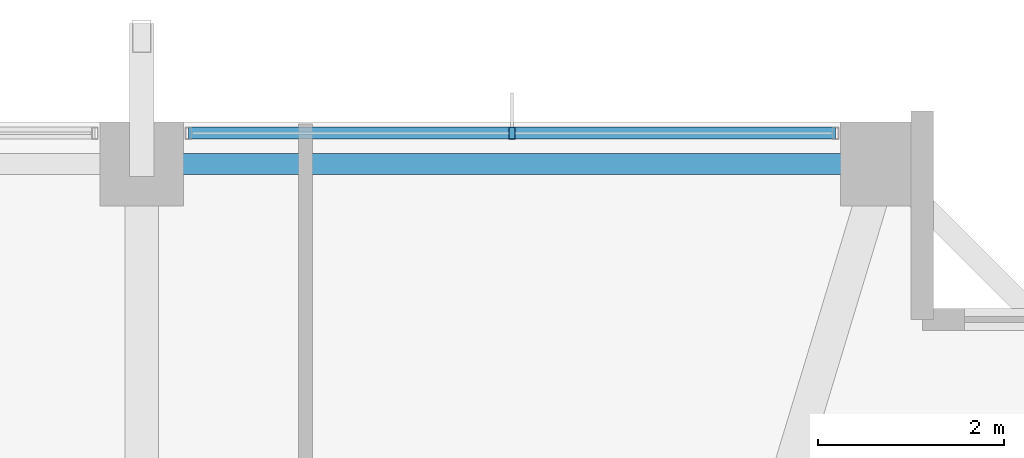
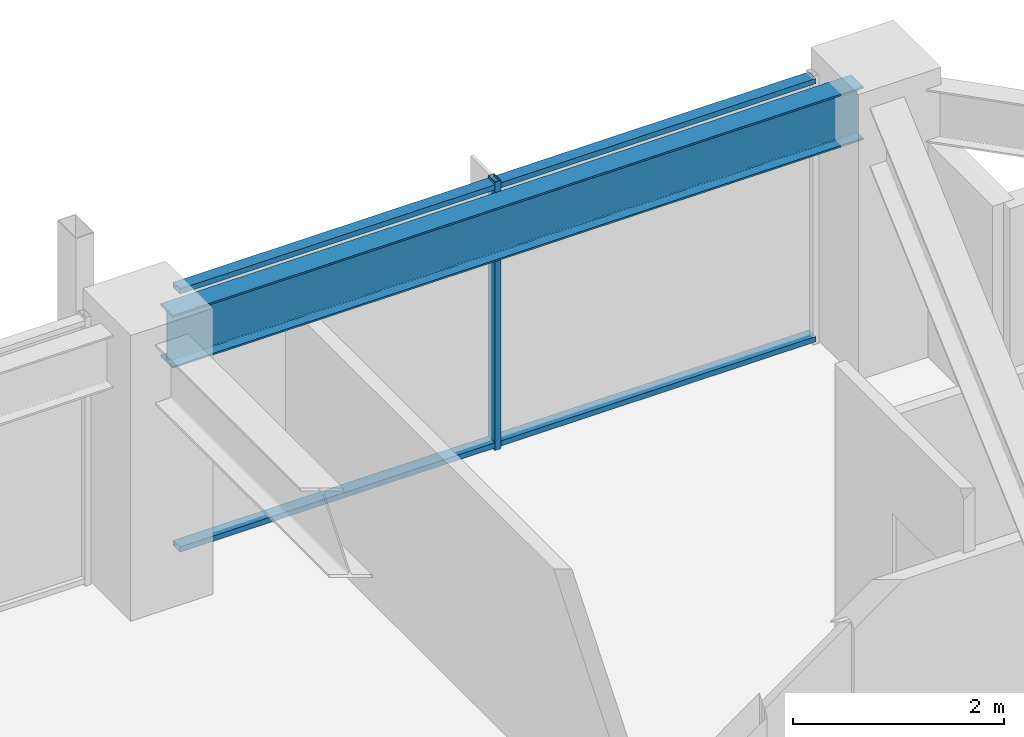
# One storey, part 22 of 35: 3 members, 1 beam, 1 element without a shape of its own.
"""IFC4 building model written with IfcOpenShell, lengths in metres."""

from ifc_helpers import new_model, si_unit, direction, frame, origin, origin_2d, place, context, subcontext, project, spatial, hollow_rectangle, i_section, extrude, material, material_profile, profile_set, type_object, element, aggregate, save


model = new_model("IFC4")

# Units and contexts
model_context = context("Model", 3, precision=1e-05, world=origin(), true_north=direction((0.0, 1.0)))
body_context = subcontext(model_context, "Body", "Model", "MODEL_VIEW")
ifc_project = project(units=[si_unit("LENGTHUNIT", "METRE"), si_unit("AREAUNIT", "SQUARE_METRE"), si_unit("VOLUMEUNIT", "CUBIC_METRE"), si_unit("PLANEANGLEUNIT", "RADIAN"), si_unit("MASSUNIT", "GRAM", prefix="KILO")], contexts=[model_context])

# Site, building, storey
site_placement = place(None, origin())
site = spatial("IfcSite", under=ifc_project, at=site_placement, CompositionType="ELEMENT")
building_placement = place(site_placement, origin())
building = spatial("IfcBuilding", under=site, at=building_placement, Name="Kolvaren Belvedere", CompositionType="ELEMENT")
storey_placement = place(building_placement, frame((0.0, 0.0, 163.5)))
storey = spatial("IfcBuildingStorey", under=building, at=storey_placement, Name="L47", CompositionType="ELEMENT", Elevation=163.5)

# Beam
ifc_material_1 = material(Name="Structural steel ASTM A992 Grade 50", Category="steel")
ifc_material_profile_1 = material_profile(ifc_material_1, i_section(OverallWidth=0.22900390625, OverallDepth=0.612060546875, WebThickness=0.011962890625, FlangeThickness=0.01953125, FilletRadius=0.01806640625, at=origin_2d()), Name="W24X84")
ifc_profile_set_1 = profile_set([ifc_material_profile_1], Name="Structural steel ASTM A992 Grade 50")
beam_type = type_object("IfcBeamType", Name="BM-SPAN-W24X84", PredefinedType="SPANDREL", material=ifc_profile_set_1)
beam_placement = place(storey_placement, frame((12.347412109375, 18.64990234375, 2.7939453125), z_axis=(-1.0, 0.0, 0.0), x_axis=(0.0, -1.0, 0.0)))
element("IfcBeam", 1, at=beam_placement, inside=storey, type_object=beam_type, Name="L47 Perimeter Spandrel N4-N3", PredefinedType="SPANDREL", context=body_context, shape_type="SweptSolid", body=[
    extrude(i_section(OverallWidth=0.22900390625, OverallDepth=0.612060546875, WebThickness=0.011962890625, FlangeThickness=0.01953125, FilletRadius=0.01806640625, at=origin_2d()), origin(), (0.0, 0.0, 1.0), 7.544921875),
])

# Curtain wall, members
ifc_material_2 = material(Name="Anodised pale-metal aluminium AA 6063-T6", Category="aluminium")
curtain_wall_type = type_object("IfcCurtainWallType", Name="CW-Z3-WAIST", PredefinedType="NOTDEFINED", material=ifc_material_2)
curtain_wall_placement = place(storey_placement, origin())
curtain_wall = element("IfcCurtainWall", 2, at=curtain_wall_placement, inside=storey, type_object=curtain_wall_type, Name="L47 Unitised Curtain Wall FCW-L47-N-B3", PredefinedType="NOTDEFINED")
ifc_material_3 = material(Name="Anodised pale-metal aluminium AA 6063-T6", Category="aluminium")
ifc_material_profile_2 = material_profile(ifc_material_3, hollow_rectangle(XDim=0.06494140625, YDim=0.1298828125, WallThickness=0.00390625, at=origin_2d()), Name="ALU-MUL-130X65")
ifc_profile_set_2 = profile_set([ifc_material_profile_2], Name="Anodised pale-metal aluminium AA 6063-T6")
member_type_1 = type_object("IfcMemberType", Name="CW-MUL-130", PredefinedType="MULLION", material=ifc_profile_set_2)
member_1_placement = place(storey_placement, frame((8.574951171875, 18.97998046875, 0.0), z_axis=(0.0, 0.0, 1.0), x_axis=(1.0, 0.0, 0.0)))
member_1 = element("IfcMember", 3, at=member_1_placement, type_object=member_type_1, Name="FCW-L47-N-B3 Unitised Mullion 2", PredefinedType="MULLION", context=body_context, shape_type="SweptSolid", body=[
    extrude(hollow_rectangle(XDim=0.06494140625, YDim=0.1298828125, WallThickness=0.00390625, at=origin_2d()), origin(), (0.0, 0.0, 1.0), 3.10009765625),
])
ifc_material_4 = material(Name="Anodised pale-metal aluminium AA 6063-T6", Category="aluminium")
ifc_material_profile_3 = material_profile(ifc_material_4, hollow_rectangle(XDim=0.06005859375, YDim=0.1298828125, WallThickness=0.00390625, at=origin_2d()), Name="ALU-TRN-130X60")
ifc_profile_set_3 = profile_set([ifc_material_profile_3], Name="Anodised pale-metal aluminium AA 6063-T6")
member_type_2 = type_object("IfcMemberType", Name="CW-TRN-130", PredefinedType="USERDEFINED", material=ifc_profile_set_3)
member_2_placement = place(storey_placement, frame((5.1025390625, 18.97998046875, 0.06005859375), z_axis=(1.0, 0.0, 0.0), x_axis=(0.0, 0.0, 1.0)))
member_2 = element("IfcMember", 4, at=member_2_placement, type_object=member_type_2, Name="FCW-L47-N-B3 Sill Transom", ObjectType="TRANSOM", PredefinedType="USERDEFINED", context=body_context, shape_type="SweptSolid", body=[
    extrude(hollow_rectangle(XDim=0.06005859375, YDim=0.1298828125, WallThickness=0.00390625, at=origin_2d()), origin(), (0.0, 0.0, 1.0), 6.945068359375),
])
member_3_placement = place(storey_placement, frame((5.1025390625, 18.97998046875, 3.0400390625), z_axis=(1.0, 0.0, 0.0), x_axis=(0.0, 0.0, 1.0)))
member_3 = element("IfcMember", 5, at=member_3_placement, type_object=member_type_2, Name="FCW-L47-N-B3 Head Transom", ObjectType="TRANSOM", PredefinedType="USERDEFINED", context=body_context, shape_type="SweptSolid", body=[
    extrude(hollow_rectangle(XDim=0.06005859375, YDim=0.1298828125, WallThickness=0.00390625, at=origin_2d()), origin(), (0.0, 0.0, 1.0), 6.945068359375),
])
aggregate(curtain_wall, [member_1, member_2, member_3])

save(model, "model.ifc")
